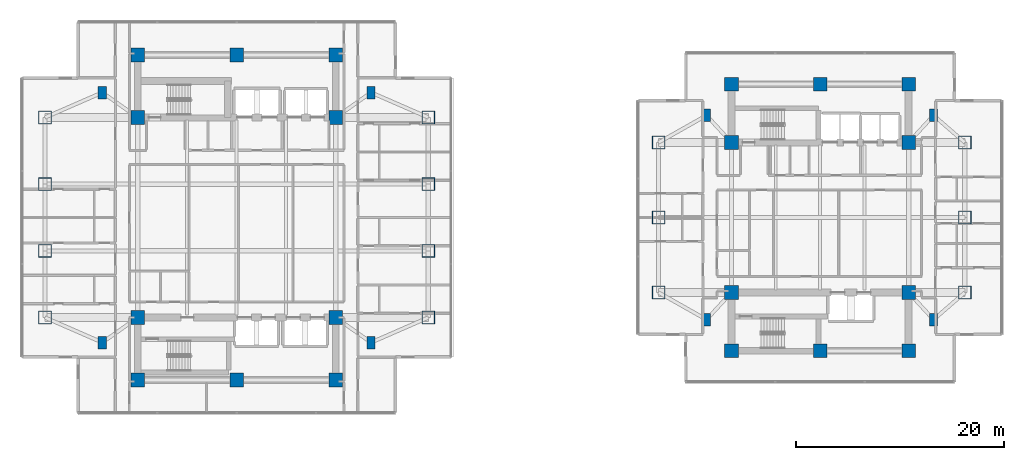
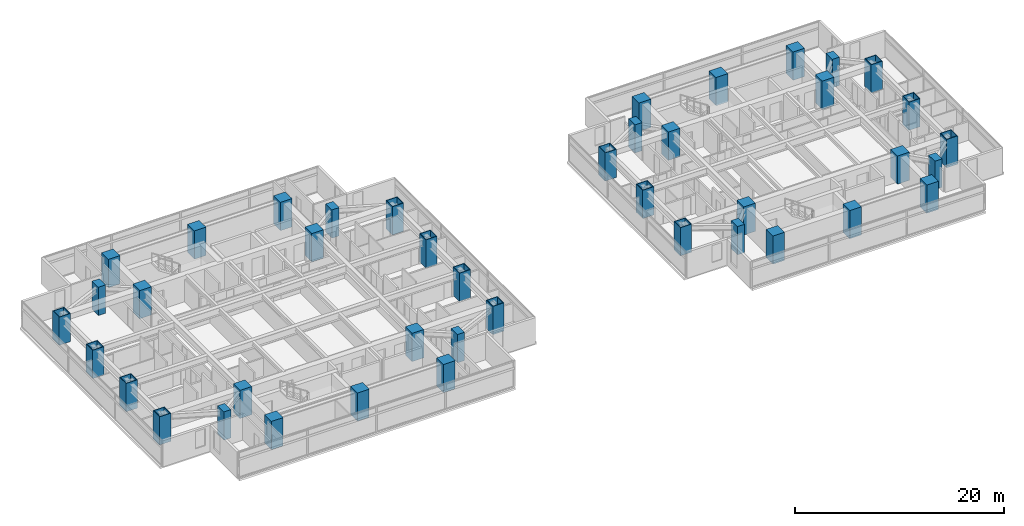
# One storey, part 1 of 27: 42 columns.
"""IFC4 building model written with IfcOpenShell, lengths in metres."""

from ifc_helpers import new_model, si_unit, direction, frame, origin, origin_2d, place, context, subcontext, project, spatial, rectangle, hollow_rectangle, extrude, material, material_profile, profile_set, type_object, element, save


model = new_model("IFC4")

# Units and contexts
model_context = context("Model", 3, precision=1e-05, world=origin(), true_north=direction((0.0, 1.0)))
body_context = subcontext(model_context, "Body", "Model", "MODEL_VIEW")
ifc_project = project(units=[si_unit("LENGTHUNIT", "METRE"), si_unit("AREAUNIT", "SQUARE_METRE"), si_unit("VOLUMEUNIT", "CUBIC_METRE"), si_unit("PLANEANGLEUNIT", "RADIAN"), si_unit("MASSUNIT", "GRAM", prefix="KILO")], contexts=[model_context])

# Site, building, storey
site_placement = place(None, origin())
site = spatial("IfcSite", under=ifc_project, at=site_placement, CompositionType="ELEMENT")
building_placement = place(site_placement, origin())
building = spatial("IfcBuilding", under=site, at=building_placement, Name="Mirazonda Arch Towers", CompositionType="ELEMENT")
storey_placement = place(building_placement, frame((0.0, 0.0, 52.10009765625)))
storey = spatial("IfcBuildingStorey", under=building, at=storey_placement, Name="L14", CompositionType="ELEMENT", Elevation=52.10009765625)

# Columns
ifc_material_1 = material(Name="Concrete C60/75", Category="concrete")
ifc_material_profile_1 = material_profile(ifc_material_1, rectangle(XDim=1.300048828125, YDim=1.300048828125, at=origin_2d()), Name="RC1300x1300")
ifc_profile_set_1 = profile_set([ifc_material_profile_1], Name="Concrete C60/75")
column_type_1 = type_object("IfcColumnType", Name="COL-INT-RC1300x1300", PredefinedType="COLUMN", material=ifc_profile_set_1)
for number, where, z_axis, x_axis, name in (
    (1, (11.0, 12.39990234375, 0.0), (0.0, 0.0, 1.0), (1.0, 0.0, 0.0), "L14 T1 Core Column 01"),
    (2, (20.5, 12.39990234375, 0.0), (0.0, 0.0, 1.0), (1.0, 0.0, 0.0), "L14 T1 Core Column 02"),
    (3, (30.0, 12.39990234375, 0.0), (0.0, 0.0, 1.0), (1.0, 0.0, 0.0), "L14 T1 Core Column 03"),
    (4, (11.0, 18.39990234375, 0.0), (0.0, 0.0, 1.0), (1.0, 0.0, 0.0), "L14 T1 Core Column 04"),
    (5, (30.0, 18.39990234375, 0.0), (0.0, 0.0, 1.0), (1.0, 0.0, 0.0), "L14 T1 Core Column 05"),
    (6, (11.0, 37.60009765625, 0.0), (0.0, 0.0, 1.0), (1.0, 0.0, 0.0), "L14 T1 Core Column 06"),
    (7, (30.0, 37.60009765625, 0.0), (0.0, 0.0, 1.0), (1.0, 0.0, 0.0), "L14 T1 Core Column 07"),
    (8, (11.0, 43.60009765625, 0.0), (0.0, 0.0, 1.0), (1.0, 0.0, 0.0), "L14 T1 Core Column 08"),
    (9, (20.5, 43.60009765625, 0.0), (0.0, 0.0, 1.0), (1.0, 0.0, 0.0), "L14 T1 Core Column 09"),
    (10, (30.0, 43.60009765625, 0.0), (0.0, 0.0, 1.0), (1.0, 0.0, 0.0), "L14 T1 Core Column 10"),
    (11, (68.0, 15.199951171875, 0.0), (0.0, 0.0, 1.0), (1.0, 0.0, 0.0), "L14 T2 Core Column 01"),
    (12, (76.5, 15.199951171875, 0.0), (0.0, 0.0, 1.0), (1.0, 0.0, 0.0), "L14 T2 Core Column 02"),
    (13, (85.0, 15.199951171875, 0.0), (0.0, 0.0, 1.0), (1.0, 0.0, 0.0), "L14 T2 Core Column 03"),
    (14, (68.0, 20.800048828125, 0.0), (0.0, 0.0, 1.0), (1.0, 0.0, 0.0), "L14 T2 Core Column 04"),
    (15, (85.0, 20.800048828125, 0.0), (0.0, 0.0, 1.0), (1.0, 0.0, 0.0), "L14 T2 Core Column 05"),
    (16, (68.0, 35.199951171875, 0.0), (0.0, 0.0, 1.0), (1.0, 0.0, 0.0), "L14 T2 Core Column 06"),
    (17, (85.0, 35.199951171875, 0.0), (0.0, 0.0, 1.0), (1.0, 0.0, 0.0), "L14 T2 Core Column 07"),
    (18, (68.0, 40.800048828125, 0.0), (0.0, 0.0, 1.0), (1.0, 0.0, 0.0), "L14 T2 Core Column 08"),
    (19, (76.5, 40.800048828125, 0.0), (0.0, 0.0, 1.0), (1.0, 0.0, 0.0), "L14 T2 Core Column 09"),
    (20, (85.0, 40.800048828125, 0.0), (0.0, 0.0, 1.0), (1.0, 0.0, 0.0), "L14 T2 Core Column 10"),
):
    element("IfcColumn", number, at=place(storey_placement, frame(where, z_axis=z_axis, x_axis=x_axis)), inside=storey, type_object=column_type_1, Name=name, PredefinedType="COLUMN", context=body_context, shape_type="SweptSolid", body=[
        extrude(rectangle(XDim=1.300048828125, YDim=1.300048828125, at=origin_2d()), origin(), (0.0, 0.0, 1.0), 3.2998046875),
    ])
ifc_material_2 = material(Name="Steel ASTM A572 Grade 50", Category="steel")
ifc_material_profile_2 = material_profile(ifc_material_2, hollow_rectangle(XDim=1.25, YDim=1.25, WallThickness=0.070068359375, at=origin_2d()), Name="BOX1250x1250x70")
ifc_profile_set_2 = profile_set([ifc_material_profile_2], Name="Steel ASTM A572 Grade 50")
column_type_2 = type_object("IfcColumnType", Name="MCOL-EXT-BOX1250x1250x70", PredefinedType="COLUMN", material=ifc_profile_set_2)
for number, where, z_axis, x_axis, name in (
    (21, (2.10009765625, 18.39990234375, 0.0), (0.0, 0.0, 1.0), (1.0, 0.0, 0.0), "L14 T1 Composite Mega-Column 01"),
    (22, (2.10009765625, 24.800048828125, 0.0), (0.0, 0.0, 1.0), (1.0, 0.0, 0.0), "L14 T1 Composite Mega-Column 02"),
    (23, (2.10009765625, 31.199951171875, 0.0), (0.0, 0.0, 1.0), (1.0, 0.0, 0.0), "L14 T1 Composite Mega-Column 03"),
    (24, (2.10009765625, 37.60009765625, 0.0), (0.0, 0.0, 1.0), (1.0, 0.0, 0.0), "L14 T1 Composite Mega-Column 04"),
    (25, (38.89990234375, 18.39990234375, 0.0), (0.0, 0.0, 1.0), (1.0, 0.0, 0.0), "L14 T1 Composite Mega-Column 05"),
    (26, (38.89990234375, 24.800048828125, 0.0), (0.0, 0.0, 1.0), (1.0, 0.0, 0.0), "L14 T1 Composite Mega-Column 06"),
    (27, (38.89990234375, 31.199951171875, 0.0), (0.0, 0.0, 1.0), (1.0, 0.0, 0.0), "L14 T1 Composite Mega-Column 07"),
    (28, (38.89990234375, 37.60009765625, 0.0), (0.0, 0.0, 1.0), (1.0, 0.0, 0.0), "L14 T1 Composite Mega-Column 08"),
    (29, (61.0, 20.800048828125, 0.0), (0.0, 0.0, 1.0), (1.0, 0.0, 0.0), "L14 T2 Composite Mega-Column 01"),
    (30, (61.0, 28.0, 0.0), (0.0, 0.0, 1.0), (1.0, 0.0, 0.0), "L14 T2 Composite Mega-Column 02"),
    (31, (61.0, 35.199951171875, 0.0), (0.0, 0.0, 1.0), (1.0, 0.0, 0.0), "L14 T2 Composite Mega-Column 03"),
    (32, (90.39990234375, 20.800048828125, 0.0), (0.0, 0.0, 1.0), (1.0, 0.0, 0.0), "L14 T2 Composite Mega-Column 04"),
    (33, (90.39990234375, 28.0, 0.0), (0.0, 0.0, 1.0), (1.0, 0.0, 0.0), "L14 T2 Composite Mega-Column 05"),
    (34, (90.39990234375, 35.199951171875, 0.0), (0.0, 0.0, 1.0), (1.0, 0.0, 0.0), "L14 T2 Composite Mega-Column 06"),
):
    element("IfcColumn", number, at=place(storey_placement, frame(where, z_axis=z_axis, x_axis=x_axis)), inside=storey, type_object=column_type_2, Name=name, PredefinedType="COLUMN", context=body_context, shape_type="SweptSolid", body=[
        extrude(hollow_rectangle(XDim=1.25, YDim=1.25, WallThickness=0.070068359375, at=origin_2d()), origin(), (0.0, 0.0, 1.0), 3.2998046875),
    ])
ifc_material_profile_3 = material_profile(ifc_material_1, rectangle(XDim=0.800048828125, YDim=1.199951171875, at=origin_2d()), Name="RC1200x800")
ifc_profile_set_3 = profile_set([ifc_material_profile_3], Name="Concrete C60/75")
column_type_3 = type_object("IfcColumnType", Name="PIL-EXT-RC1200x800", PredefinedType="PILASTER", material=ifc_profile_set_3)
for number, where, z_axis, x_axis, name in (
    (35, (7.60009765625, 16.0, 0.0), (0.0, 0.0, 1.0), (1.0, 0.0, 0.0), "L14 T1 Corner Pilaster 01"),
    (36, (33.39990234375, 16.0, 0.0), (0.0, 0.0, 1.0), (1.0, 0.0, 0.0), "L14 T1 Corner Pilaster 02"),
    (37, (7.60009765625, 40.0, 0.0), (0.0, 0.0, 1.0), (1.0, 0.0, 0.0), "L14 T1 Corner Pilaster 03"),
    (38, (33.39990234375, 40.0, 0.0), (0.0, 0.0, 1.0), (1.0, 0.0, 0.0), "L14 T1 Corner Pilaster 04"),
    (39, (65.60009765625, 18.199951171875, 0.0), (0.0, 0.0, 1.0), (1.0, 0.0, 0.0), "L14 T2 Corner Pilaster 01"),
    (40, (87.39990234375, 18.199951171875, 0.0), (0.0, 0.0, 1.0), (1.0, 0.0, 0.0), "L14 T2 Corner Pilaster 02"),
    (41, (65.60009765625, 37.800048828125, 0.0), (0.0, 0.0, 1.0), (1.0, 0.0, 0.0), "L14 T2 Corner Pilaster 03"),
    (42, (87.39990234375, 37.800048828125, 0.0), (0.0, 0.0, 1.0), (1.0, 0.0, 0.0), "L14 T2 Corner Pilaster 04"),
):
    element("IfcColumn", number, at=place(storey_placement, frame(where, z_axis=z_axis, x_axis=x_axis)), inside=storey, type_object=column_type_3, Name=name, PredefinedType="PILASTER", context=body_context, shape_type="SweptSolid", body=[
        extrude(rectangle(XDim=0.800048828125, YDim=1.199951171875, at=origin_2d()), origin(), (0.0, 0.0, 1.0), 3.2998046875),
    ])

save(model, "model.ifc")
